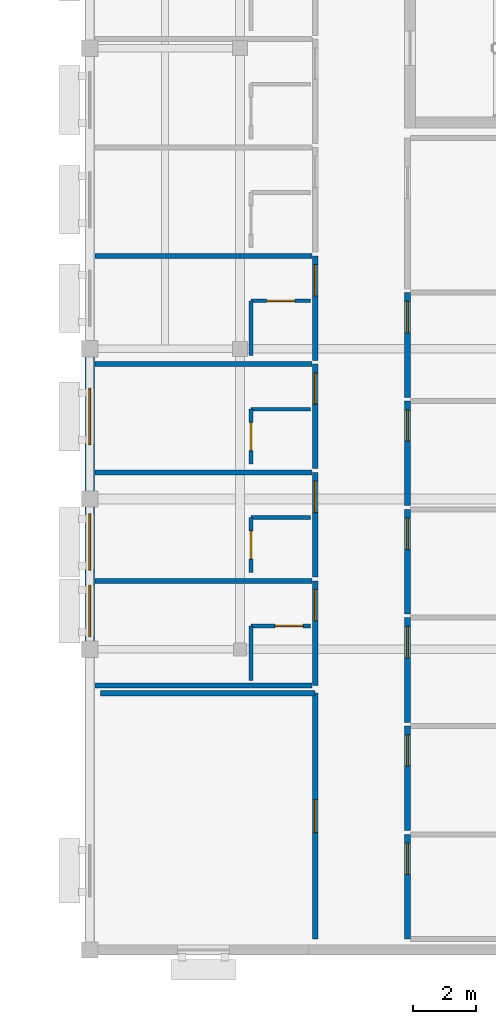
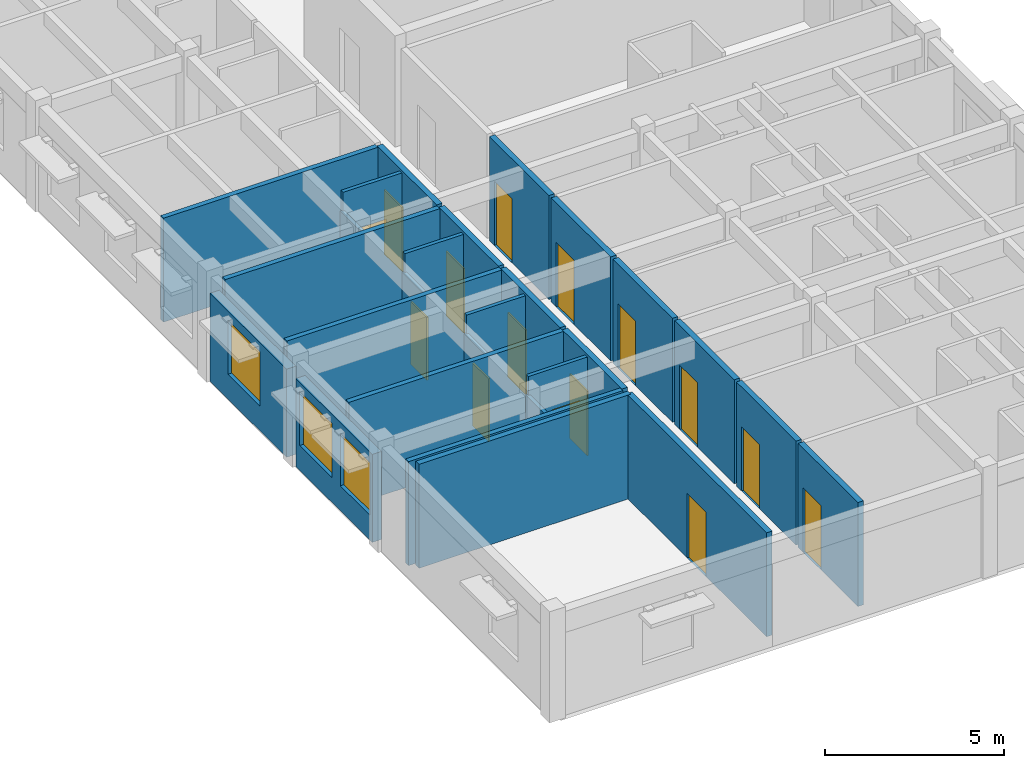
# One storey, part 7 of 20: 27 walls, 15 doors, 3 windows, 18 openings.
"""IFC4 building model written with IfcOpenShell, lengths in metres."""

from ifc_helpers import new_model, si_unit, direction, frame, frame_2d, origin, place, context, subcontext, project, spatial, rectangle, extrude, material, layer, layer_set, type_object, element, fill, save


model = new_model("IFC4")

# Units and contexts
model_context = context("Model", 3, precision=1e-05, world=origin(), true_north=direction((0.0, 1.0)))
body_context = subcontext(model_context, "Body", "Model", "MODEL_VIEW")
ifc_project = project(units=[si_unit("LENGTHUNIT", "METRE"), si_unit("AREAUNIT", "SQUARE_METRE"), si_unit("VOLUMEUNIT", "CUBIC_METRE"), si_unit("PLANEANGLEUNIT", "RADIAN"), si_unit("MASSUNIT", "GRAM", prefix="KILO")], contexts=[model_context])

# Site, building, storey
site_placement = place(None, origin())
site = spatial("IfcSite", under=ifc_project, at=site_placement, CompositionType="ELEMENT")
building_placement = place(site_placement, origin())
building = spatial("IfcBuilding", under=site, at=building_placement, Name="Veldera Park Congress Hotel", CompositionType="ELEMENT")
storey_placement = place(building_placement, frame((0.0, 0.0, 27.60009765625)))
storey = spatial("IfcBuildingStorey", under=building, at=storey_placement, Name="L06", CompositionType="ELEMENT", Elevation=27.60009765625)

# Wall, opening, window
ifc_material_1 = material(Name="Cross-laminated timber CLT V2M1.1", Category="wood")
ifc_layer_1 = layer(ifc_material_1, 0.300048828125)
ifc_layer_set_1 = layer_set([ifc_layer_1], Name="Cross-laminated timber CLT V2M1.1")
wall_type_1 = type_object("IfcWallType", Name="EW-CLT300", PredefinedType="STANDARD", material=ifc_layer_set_1)
wall_1_placement = place(storey_placement, frame((60.800048828125, -18.85791015625, 0.0), z_axis=(0.0, 0.0, 1.0), x_axis=(0.0, -1.0, 0.0)))
wall_1 = element("IfcWall", 1, at=wall_1_placement, inside=storey, type_object=wall_type_1, Name="L06 Exterior Wall EW3-L06-0337", PredefinedType="STANDARD", context=body_context, shape_type="SweptSolid", body=[
    extrude(rectangle(XDim=4.2841796875, YDim=0.300048828125, at=frame_2d((2.14208984375, 0.0))), origin(), (0.0, 0.0, 1.0), 3.010009765625),
])
opening_1_placement = place(wall_1_placement, frame((1.001953125, 0.0, 0.85009765625)))
opening_1 = element("IfcOpeningElement", 2, at=opening_1_placement, cuts=wall_1, Name="Opening WIN-1800", PredefinedType="OPENING", context=body_context, shape_type="SweptSolid", body=[
    extrude(rectangle(XDim=1.800048828125, YDim=1.85009765625, at=frame_2d((0.89990234375, 0.925048828125))), frame((0.0, 0.162109375, 0.0), z_axis=(0.0, -1.0, 0.0), x_axis=(1.0, 0.0, 0.0)), (0.0, 0.0, 1.0), 0.323974609375),
])
ifc_material_2 = material(Name="Low-E Triple Insulating Glass Unit (SHGC 0.22)", Category="glass")
window_type_1 = type_object("IfcWindowType", Name="WIN-1800", PartitioningType="SINGLE_PANEL", PredefinedType="WINDOW", material=ifc_material_2)
window_1_placement = place(opening_1_placement, origin())
window_1 = element("IfcWindow", 3, at=window_1_placement, inside=storey, type_object=window_type_1, Name="L06 Window WIN-1800 511", OverallHeight=1.85009765625, OverallWidth=1.800048828125, PartitioningType="SINGLE_PANEL", PredefinedType="WINDOW", context=body_context, shape_type="SweptSolid", body=[
    extrude(rectangle(XDim=1.800048828125, YDim=1.85009765625, at=frame_2d((0.89990234375, 0.925048828125))), frame((0.0, 0.030029296875, 0.0), z_axis=(0.0, -1.0, 0.0), x_axis=(1.0, 0.0, 0.0)), (0.0, 0.0, 1.0), 0.06005859375),
])
fill(opening_1, window_1)

# Wall, openings, windows
wall_2_placement = place(storey_placement, frame((60.800048828125, -23.657958984375, 0.0), z_axis=(0.0, 0.0, 1.0), x_axis=(0.0, -1.0, 0.0)))
wall_2 = element("IfcWall", 4, at=wall_2_placement, inside=storey, type_object=wall_type_1, Name="L06 Exterior Wall EW3-L06-0338", PredefinedType="STANDARD", context=body_context, shape_type="SweptSolid", body=[
    extrude(rectangle(XDim=4.283935546875, YDim=0.300048828125, at=frame_2d((2.14208984375, 0.0))), origin(), (0.0, 0.0, 1.0), 3.010009765625),
])
opening_2_placement = place(wall_2_placement, frame((2.492919921875, 0.0, 0.85009765625)))
opening_2 = element("IfcOpeningElement", 5, at=opening_2_placement, cuts=wall_2, Name="Opening WIN-1650", PredefinedType="OPENING", context=body_context, shape_type="SweptSolid", body=[
    extrude(rectangle(XDim=1.64990234375, YDim=1.800048828125, at=frame_2d((0.824951171875, 0.89990234375))), frame((0.0, 0.162109375, 0.0), z_axis=(0.0, -1.0, 0.0), x_axis=(1.0, 0.0, 0.0)), (0.0, 0.0, 1.0), 0.323974609375),
])
opening_3_placement = place(wall_2_placement, frame((0.216064453125, 0.0, 0.85009765625)))
opening_3 = element("IfcOpeningElement", 6, at=opening_3_placement, cuts=wall_2, Name="Opening WIN-1800", PredefinedType="OPENING", context=body_context, shape_type="SweptSolid", body=[
    extrude(rectangle(XDim=1.800048828125, YDim=1.85009765625, at=frame_2d((0.89990234375, 0.925048828125))), frame((0.0, 0.162109375, 0.0), z_axis=(0.0, -1.0, 0.0), x_axis=(1.0, 0.0, 0.0)), (0.0, 0.0, 1.0), 0.323974609375),
])
window_type_2 = type_object("IfcWindowType", Name="WIN-1650", PartitioningType="SINGLE_PANEL", PredefinedType="WINDOW", material=ifc_material_2)
window_2_placement = place(opening_2_placement, origin())
window_2 = element("IfcWindow", 7, at=window_2_placement, inside=storey, type_object=window_type_2, Name="L06 Window WIN-1650 509", OverallHeight=1.800048828125, OverallWidth=1.64990234375, PartitioningType="SINGLE_PANEL", PredefinedType="WINDOW", context=body_context, shape_type="SweptSolid", body=[
    extrude(rectangle(XDim=1.64990234375, YDim=1.800048828125, at=frame_2d((0.824951171875, 0.89990234375))), frame((0.0, 0.030029296875, 0.0), z_axis=(0.0, -1.0, 0.0), x_axis=(1.0, 0.0, 0.0)), (0.0, 0.0, 1.0), 0.06005859375),
])
fill(opening_2, window_2)
window_3_placement = place(opening_3_placement, origin())
window_3 = element("IfcWindow", 8, at=window_3_placement, inside=storey, type_object=window_type_1, Name="L06 Window WIN-1800 510", OverallHeight=1.85009765625, OverallWidth=1.800048828125, PartitioningType="SINGLE_PANEL", PredefinedType="WINDOW", context=body_context, shape_type="SweptSolid", body=[
    extrude(rectangle(XDim=1.800048828125, YDim=1.85009765625, at=frame_2d((0.89990234375, 0.925048828125))), frame((0.0, 0.030029296875, 0.0), z_axis=(0.0, -1.0, 0.0), x_axis=(1.0, 0.0, 0.0)), (0.0, 0.0, 1.0), 0.06005859375),
])
fill(opening_3, window_3)

# Wall
ifc_material_3 = material(Name="Fire-Rated Gypsum Board on Cold-Formed Steel Studs", Category="steel")
ifc_layer_2 = layer(ifc_material_3, 0.1201171875)
ifc_layer_set_2 = layer_set([ifc_layer_2], Name="Fire-Rated Gypsum Board on Cold-Formed Steel Studs")
wall_type_2 = type_object("IfcWallType", Name="IW-BATH120", PredefinedType="PARTITIONING", material=ifc_layer_set_2)
wall_3_placement = place(storey_placement, frame((65.949951171875, -29.199951171875, 0.0), z_axis=(0.0, 0.0, 1.0), x_axis=(0.0, 1.0, 0.0)))
element("IfcWall", 9, at=wall_3_placement, inside=storey, type_object=wall_type_2, Name="L06 Partition Wall IW3-L06-01194", PredefinedType="PARTITIONING", context=body_context, shape_type="SweptSolid", body=[
    extrude(rectangle(XDim=1.75, YDim=0.1201171875, at=frame_2d((0.875, 0.0))), origin(), (0.0, 0.0, 1.0), 2.909912109375),
])

# Wall, opening, door
wall_4_placement = place(storey_placement, frame((65.949951171875, -27.449951171875, 0.0), z_axis=(0.0, 0.0, 1.0), x_axis=(1.0, 0.0, 0.0)))
wall_4 = element("IfcWall", 10, at=wall_4_placement, inside=storey, type_object=wall_type_2, Name="L06 Partition Wall IW3-L06-01195", PredefinedType="PARTITIONING", context=body_context, shape_type="SweptSolid", body=[
    extrude(rectangle(XDim=1.900146484375, YDim=0.1201171875, at=frame_2d((0.9501953125, 0.0))), origin(), (0.0, 0.0, 1.0), 3.554931640625),
])
opening_4_placement = place(wall_4_placement, frame((0.76611328125, 0.0, 0.0)))
opening_4 = element("IfcOpeningElement", 11, at=opening_4_placement, cuts=wall_4, Name="Opening ID-BATH090", PredefinedType="OPENING", context=body_context, shape_type="SweptSolid", body=[
    extrude(rectangle(XDim=0.89990234375, YDim=2.14990234375, at=frame_2d((0.449951171875, 1.074951171875))), frame((0.0, 0.072021484375, 0.0), z_axis=(0.0, -1.0, 0.0), x_axis=(1.0, 0.0, 0.0)), (0.0, 0.0, 1.0), 0.14404296875),
])
ifc_material_4 = material(Name="Solid Core White Oak Architectural Door", Category="wood")
door_type_1 = type_object("IfcDoorType", Name="ID-BATH090", OperationType="NOTDEFINED", PredefinedType="DOOR", material=ifc_material_4)
door_1_placement = place(opening_4_placement, origin())
door_1 = element("IfcDoor", 12, at=door_1_placement, inside=storey, type_object=door_type_1, Name="L06 En-suite 178 Door ID3-L06-0495 (DR3-ID3-L06-0495)", OperationType="SINGLE_SWING_LEFT", OverallHeight=2.14990234375, OverallWidth=0.89990234375, PredefinedType="DOOR", context=body_context, shape_type="SweptSolid", body=[
    extrude(rectangle(XDim=0.89990234375, YDim=2.14990234375, at=frame_2d((0.449951171875, 1.074951171875))), frame((0.0, 0.02490234375, 0.0), z_axis=(0.0, -1.0, 0.0), x_axis=(1.0, 0.0, 0.0)), (0.0, 0.0, 1.0), 0.050048828125),
])
fill(opening_4, door_1)

wall_5_placement = place(storey_placement, frame((65.949951171875, -25.739990234375, 0.0), z_axis=(0.0, 0.0, 1.0), x_axis=(0.0, 1.0, 0.0)))
wall_5 = element("IfcWall", 13, at=wall_5_placement, inside=storey, type_object=wall_type_2, Name="L06 Partition Wall IW3-L06-01198", PredefinedType="PARTITIONING", context=body_context, shape_type="SweptSolid", body=[
    extrude(rectangle(XDim=1.75, YDim=0.1201171875, at=frame_2d((0.875, 0.0))), origin(), (0.0, 0.0, 1.0), 2.909912109375),
])
opening_5_placement = place(wall_5_placement, frame((0.425048828125, 0.0, 0.0)))
opening_5 = element("IfcOpeningElement", 14, at=opening_5_placement, cuts=wall_5, Name="Opening ID-BATH090", PredefinedType="OPENING", context=body_context, shape_type="SweptSolid", body=[
    extrude(rectangle(XDim=0.89990234375, YDim=2.14990234375, at=frame_2d((0.449951171875, 1.074951171875))), frame((0.0, 0.072021484375, 0.0), z_axis=(0.0, -1.0, 0.0), x_axis=(1.0, 0.0, 0.0)), (0.0, 0.0, 1.0), 0.14404296875),
])
door_2_placement = place(opening_5_placement, origin())
door_2 = element("IfcDoor", 15, at=door_2_placement, inside=storey, type_object=door_type_1, Name="L06 En-suite 179 Door ID3-L06-0497 (DR3-ID3-L06-0497)", OperationType="SINGLE_SWING_LEFT", OverallHeight=2.14990234375, OverallWidth=0.89990234375, PredefinedType="DOOR", context=body_context, shape_type="SweptSolid", body=[
    extrude(rectangle(XDim=0.89990234375, YDim=2.14990234375, at=frame_2d((0.449951171875, 1.074951171875))), frame((0.0, 0.02490234375, 0.0), z_axis=(0.0, -1.0, 0.0), x_axis=(1.0, 0.0, 0.0)), (0.0, 0.0, 1.0), 0.050048828125),
])
fill(opening_5, door_2)

# Wall
wall_6_placement = place(storey_placement, frame((65.949951171875, -23.989990234375, 0.0), z_axis=(0.0, 0.0, 1.0), x_axis=(1.0, 0.0, 0.0)))
element("IfcWall", 16, at=wall_6_placement, inside=storey, type_object=wall_type_2, Name="L06 Partition Wall IW3-L06-01199", PredefinedType="PARTITIONING", context=body_context, shape_type="SweptSolid", body=[
    extrude(rectangle(XDim=1.900146484375, YDim=0.1201171875, at=frame_2d((0.9501953125, 0.0))), origin(), (0.0, 0.0, 1.0), 3.554931640625),
])

# Wall, opening, door
wall_7_placement = place(storey_placement, frame((65.949951171875, -22.280029296875, 0.0), z_axis=(0.0, 0.0, 1.0), x_axis=(0.0, 1.0, 0.0)))
wall_7 = element("IfcWall", 17, at=wall_7_placement, inside=storey, type_object=wall_type_2, Name="L06 Partition Wall IW3-L06-01202", PredefinedType="PARTITIONING", context=body_context, shape_type="SweptSolid", body=[
    extrude(rectangle(XDim=1.75, YDim=0.1201171875, at=frame_2d((0.875, 0.0))), origin(), (0.0, 0.0, 1.0), 2.909912109375),
])
opening_6_placement = place(wall_7_placement, frame((0.425048828125, 0.0, 0.0)))
opening_6 = element("IfcOpeningElement", 18, at=opening_6_placement, cuts=wall_7, Name="Opening ID-BATH090", PredefinedType="OPENING", context=body_context, shape_type="SweptSolid", body=[
    extrude(rectangle(XDim=0.89990234375, YDim=2.14990234375, at=frame_2d((0.449951171875, 1.074951171875))), frame((0.0, 0.072021484375, 0.0), z_axis=(0.0, -1.0, 0.0), x_axis=(1.0, 0.0, 0.0)), (0.0, 0.0, 1.0), 0.14404296875),
])
door_3_placement = place(opening_6_placement, origin())
door_3 = element("IfcDoor", 19, at=door_3_placement, inside=storey, type_object=door_type_1, Name="L06 En-suite 180 Door ID3-L06-0499 (DR3-ID3-L06-0499)", OperationType="SINGLE_SWING_LEFT", OverallHeight=2.14990234375, OverallWidth=0.89990234375, PredefinedType="DOOR", context=body_context, shape_type="SweptSolid", body=[
    extrude(rectangle(XDim=0.89990234375, YDim=2.14990234375, at=frame_2d((0.449951171875, 1.074951171875))), frame((0.0, 0.02490234375, 0.0), z_axis=(0.0, -1.0, 0.0), x_axis=(1.0, 0.0, 0.0)), (0.0, 0.0, 1.0), 0.050048828125),
])
fill(opening_6, door_3)

# Walls
wall_8_placement = place(storey_placement, frame((65.949951171875, -20.530029296875, 0.0), z_axis=(0.0, 0.0, 1.0), x_axis=(1.0, 0.0, 0.0)))
element("IfcWall", 20, at=wall_8_placement, inside=storey, type_object=wall_type_2, Name="L06 Partition Wall IW3-L06-01203", PredefinedType="PARTITIONING", context=body_context, shape_type="SweptSolid", body=[
    extrude(rectangle(XDim=1.900146484375, YDim=0.1201171875, at=frame_2d((0.9501953125, 0.0))), origin(), (0.0, 0.0, 1.0), 3.554931640625),
])
wall_9_placement = place(storey_placement, frame((65.949951171875, -18.820068359375, 0.0), z_axis=(0.0, 0.0, 1.0), x_axis=(0.0, 1.0, 0.0)))
element("IfcWall", 21, at=wall_9_placement, inside=storey, type_object=wall_type_2, Name="L06 Partition Wall IW3-L06-01206", PredefinedType="PARTITIONING", context=body_context, shape_type="SweptSolid", body=[
    extrude(rectangle(XDim=1.75, YDim=0.1201171875, at=frame_2d((0.875, 0.0))), origin(), (0.0, 0.0, 1.0), 2.909912109375),
])

# Wall, opening, door
wall_10_placement = place(storey_placement, frame((65.949951171875, -17.070068359375, 0.0), z_axis=(0.0, 0.0, 1.0), x_axis=(1.0, 0.0, 0.0)))
wall_10 = element("IfcWall", 22, at=wall_10_placement, inside=storey, type_object=wall_type_2, Name="L06 Partition Wall IW3-L06-01207", PredefinedType="PARTITIONING", context=body_context, shape_type="SweptSolid", body=[
    extrude(rectangle(XDim=1.900146484375, YDim=0.1201171875, at=frame_2d((0.9501953125, 0.0))), origin(), (0.0, 0.0, 1.0), 3.554931640625),
])
opening_7_placement = place(wall_10_placement, frame((0.5, 0.0, 0.0)))
opening_7 = element("IfcOpeningElement", 23, at=opening_7_placement, cuts=wall_10, Name="Opening ID-BATH090", PredefinedType="OPENING", context=body_context, shape_type="SweptSolid", body=[
    extrude(rectangle(XDim=0.89990234375, YDim=2.14990234375, at=frame_2d((0.449951171875, 1.074951171875))), frame((0.0, 0.072021484375, 0.0), z_axis=(0.0, -1.0, 0.0), x_axis=(1.0, 0.0, 0.0)), (0.0, 0.0, 1.0), 0.14404296875),
])
door_4_placement = place(opening_7_placement, origin())
door_4 = element("IfcDoor", 24, at=door_4_placement, inside=storey, type_object=door_type_1, Name="L06 En-suite 181 Door ID3-L06-0501 (DR3-ID3-L06-0501)", OperationType="SINGLE_SWING_LEFT", OverallHeight=2.14990234375, OverallWidth=0.89990234375, PredefinedType="DOOR", context=body_context, shape_type="SweptSolid", body=[
    extrude(rectangle(XDim=0.89990234375, YDim=2.14990234375, at=frame_2d((0.449951171875, 1.074951171875))), frame((0.0, 0.02490234375, 0.0), z_axis=(0.0, -1.0, 0.0), x_axis=(1.0, 0.0, 0.0)), (0.0, 0.0, 1.0), 0.050048828125),
])
fill(opening_7, door_4)

ifc_layer_3 = layer(ifc_material_3, 0.179931640625)
ifc_layer_set_3 = layer_set([ifc_layer_3], Name="Fire-Rated Gypsum Board on Cold-Formed Steel Studs")
wall_type_3 = type_object("IfcWallType", Name="IW-CORR180", PredefinedType="PARTITIONING", material=ifc_layer_set_3)
wall_11_placement = place(storey_placement, frame((68.0, -37.449951171875, 0.0), z_axis=(0.0, 0.0, 1.0), x_axis=(0.0, 1.0, 0.0)))
wall_11 = element("IfcWall", 25, at=wall_11_placement, inside=storey, type_object=wall_type_3, Name="L06 Partition Wall IW3-L06-00283", PredefinedType="PARTITIONING", context=body_context, shape_type="SweptSolid", body=[
    extrude(rectangle(XDim=7.849853515625, YDim=0.179931640625, at=frame_2d((3.9248046875, 0.0))), origin(), (0.0, 0.0, 1.0), 3.554931640625),
])
opening_8_placement = place(wall_11_placement, frame((3.39990234375, 0.0, 0.0)))
opening_8 = element("IfcOpeningElement", 26, at=opening_8_placement, cuts=wall_11, Name="Opening ID-MEET105", PredefinedType="OPENING", context=body_context, shape_type="SweptSolid", body=[
    extrude(rectangle(XDim=1.050048828125, YDim=2.199951171875, at=frame_2d((0.52490234375, 1.10009765625))), frame((0.0, 0.10205078125, 0.0), z_axis=(0.0, -1.0, 0.0), x_axis=(1.0, 0.0, 0.0)), (0.0, 0.0, 1.0), 0.203857421875),
])
door_type_2 = type_object("IfcDoorType", Name="ID-MEET105", OperationType="NOTDEFINED", PredefinedType="DOOR", material=ifc_material_4)
door_5_placement = place(opening_8_placement, origin())
door_5 = element("IfcDoor", 27, at=door_5_placement, inside=storey, type_object=door_type_2, Name="L06 Terrace Sunset Reading Salon Door ID3-L06-0104 (DR3-ID3-L06-0104)", OperationType="SINGLE_SWING_LEFT", OverallHeight=2.199951171875, OverallWidth=1.050048828125, PredefinedType="DOOR", context=body_context, shape_type="SweptSolid", body=[
    extrude(rectangle(XDim=1.050048828125, YDim=2.199951171875, at=frame_2d((0.52490234375, 1.10009765625))), frame((0.0, 0.02490234375, 0.0), z_axis=(0.0, -1.0, 0.0), x_axis=(1.0, 0.0, 0.0)), (0.0, 0.0, 1.0), 0.050048828125),
])
fill(opening_8, door_5)

# Wall
wall_12_placement = place(storey_placement, frame((68.0, -29.60009765625, 0.0), z_axis=(0.0, 0.0, 1.0), x_axis=(-1.0, 0.0, 0.0)))
element("IfcWall", 28, at=wall_12_placement, inside=storey, type_object=wall_type_3, Name="L06 Partition Wall IW3-L06-00284", PredefinedType="PARTITIONING", context=body_context, shape_type="SweptSolid", body=[
    extrude(rectangle(XDim=6.85009765625, YDim=0.179931640625, at=frame_2d((3.425048828125, 0.0))), origin(), (0.0, 0.0, 1.0), 3.554931640625),
])

# Wall, opening, door
wall_13_placement = place(storey_placement, frame((68.0, -29.35009765625, 0.0), z_axis=(0.0, 0.0, 1.0), x_axis=(0.0, 1.0, 0.0)))
wall_13 = element("IfcWall", 29, at=wall_13_placement, inside=storey, type_object=wall_type_3, Name="L06 Corridor Wall IW3-L06-01191", PredefinedType="PARTITIONING", context=body_context, shape_type="SweptSolid", body=[
    extrude(rectangle(XDim=3.340087890625, YDim=0.179931640625, at=frame_2d((1.669921875, 0.0))), origin(), (0.0, 0.0, 1.0), 3.554931640625),
])
opening_9_placement = place(wall_13_placement, frame((2.06005859375, 0.0, 0.0)))
opening_9 = element("IfcOpeningElement", 30, at=opening_9_placement, cuts=wall_13, Name="Opening ID-UNIT100", PredefinedType="OPENING", context=body_context, shape_type="SweptSolid", body=[
    extrude(rectangle(XDim=1.0, YDim=2.199951171875, at=frame_2d((0.5, 1.10009765625))), frame((0.0, 0.10205078125, 0.0), z_axis=(0.0, -1.0, 0.0), x_axis=(1.0, 0.0, 0.0)), (0.0, 0.0, 1.0), 0.203857421875),
])
door_type_3 = type_object("IfcDoorType", Name="ID-UNIT100", OperationType="NOTDEFINED", PredefinedType="DOOR", material=ifc_material_4)
door_6_placement = place(opening_9_placement, origin())
door_6 = element("IfcDoor", 31, at=door_6_placement, inside=storey, type_object=door_type_3, Name="L06 Guestroom 178 Entry Door (DR3-UD3-L06-178)", OperationType="SINGLE_SWING_RIGHT", OverallHeight=2.199951171875, OverallWidth=1.0, PredefinedType="DOOR", context=body_context, shape_type="SweptSolid", body=[
    extrude(rectangle(XDim=1.0, YDim=2.199951171875, at=frame_2d((0.5, 1.10009765625))), frame((0.0, 0.02490234375, 0.0), z_axis=(0.0, -1.0, 0.0), x_axis=(1.0, 0.0, 0.0)), (0.0, 0.0, 1.0), 0.050048828125),
])
fill(opening_9, door_6)

wall_14_placement = place(storey_placement, frame((68.0, -25.889892578125, 0.0), z_axis=(0.0, 0.0, 1.0), x_axis=(0.0, 1.0, 0.0)))
wall_14 = element("IfcWall", 32, at=wall_14_placement, inside=storey, type_object=wall_type_3, Name="L06 Corridor Wall IW3-L06-01196", PredefinedType="PARTITIONING", context=body_context, shape_type="SweptSolid", body=[
    extrude(rectangle(XDim=3.33984375, YDim=0.179931640625, at=frame_2d((1.669921875, 0.0))), origin(), (0.0, 0.0, 1.0), 3.554931640625),
])
opening_10_placement = place(wall_14_placement, frame((2.06005859375, 0.0, 0.0)))
opening_10 = element("IfcOpeningElement", 33, at=opening_10_placement, cuts=wall_14, Name="Opening ID-UNIT100", PredefinedType="OPENING", context=body_context, shape_type="SweptSolid", body=[
    extrude(rectangle(XDim=1.0, YDim=2.199951171875, at=frame_2d((0.5, 1.10009765625))), frame((0.0, 0.10205078125, 0.0), z_axis=(0.0, -1.0, 0.0), x_axis=(1.0, 0.0, 0.0)), (0.0, 0.0, 1.0), 0.203857421875),
])
door_7_placement = place(opening_10_placement, origin())
door_7 = element("IfcDoor", 34, at=door_7_placement, inside=storey, type_object=door_type_3, Name="L06 Guestroom 179 Entry Door (DR3-UD3-L06-179)", OperationType="SINGLE_SWING_RIGHT", OverallHeight=2.199951171875, OverallWidth=1.0, PredefinedType="DOOR", context=body_context, shape_type="SweptSolid", body=[
    extrude(rectangle(XDim=1.0, YDim=2.199951171875, at=frame_2d((0.5, 1.10009765625))), frame((0.0, 0.02490234375, 0.0), z_axis=(0.0, -1.0, 0.0), x_axis=(1.0, 0.0, 0.0)), (0.0, 0.0, 1.0), 0.050048828125),
])
fill(opening_10, door_7)

wall_15_placement = place(storey_placement, frame((68.0, -22.429931640625, 0.0), z_axis=(0.0, 0.0, 1.0), x_axis=(0.0, 1.0, 0.0)))
wall_15 = element("IfcWall", 35, at=wall_15_placement, inside=storey, type_object=wall_type_3, Name="L06 Corridor Wall IW3-L06-01200", PredefinedType="PARTITIONING", context=body_context, shape_type="SweptSolid", body=[
    extrude(rectangle(XDim=3.33984375, YDim=0.179931640625, at=frame_2d((1.669921875, 0.0))), origin(), (0.0, 0.0, 1.0), 3.554931640625),
])
opening_11_placement = place(wall_15_placement, frame((2.06005859375, 0.0, 0.0)))
opening_11 = element("IfcOpeningElement", 36, at=opening_11_placement, cuts=wall_15, Name="Opening ID-UNIT100", PredefinedType="OPENING", context=body_context, shape_type="SweptSolid", body=[
    extrude(rectangle(XDim=1.0, YDim=2.199951171875, at=frame_2d((0.5, 1.10009765625))), frame((0.0, 0.10205078125, 0.0), z_axis=(0.0, -1.0, 0.0), x_axis=(1.0, 0.0, 0.0)), (0.0, 0.0, 1.0), 0.203857421875),
])
door_8_placement = place(opening_11_placement, origin())
door_8 = element("IfcDoor", 37, at=door_8_placement, inside=storey, type_object=door_type_3, Name="L06 Guestroom 180 Entry Door (DR3-UD3-L06-180)", OperationType="SINGLE_SWING_RIGHT", OverallHeight=2.199951171875, OverallWidth=1.0, PredefinedType="DOOR", context=body_context, shape_type="SweptSolid", body=[
    extrude(rectangle(XDim=1.0, YDim=2.199951171875, at=frame_2d((0.5, 1.10009765625))), frame((0.0, 0.02490234375, 0.0), z_axis=(0.0, -1.0, 0.0), x_axis=(1.0, 0.0, 0.0)), (0.0, 0.0, 1.0), 0.050048828125),
])
fill(opening_11, door_8)

wall_16_placement = place(storey_placement, frame((68.0, -18.969970703125, 0.0), z_axis=(0.0, 0.0, 1.0), x_axis=(0.0, 1.0, 0.0)))
wall_16 = element("IfcWall", 38, at=wall_16_placement, inside=storey, type_object=wall_type_3, Name="L06 Corridor Wall IW3-L06-01204", PredefinedType="PARTITIONING", context=body_context, shape_type="SweptSolid", body=[
    extrude(rectangle(XDim=3.340087890625, YDim=0.179931640625, at=frame_2d((1.669921875, 0.0))), origin(), (0.0, 0.0, 1.0), 3.554931640625),
])
opening_12_placement = place(wall_16_placement, frame((2.06005859375, 0.0, 0.0)))
opening_12 = element("IfcOpeningElement", 39, at=opening_12_placement, cuts=wall_16, Name="Opening ID-UNIT100", PredefinedType="OPENING", context=body_context, shape_type="SweptSolid", body=[
    extrude(rectangle(XDim=1.0, YDim=2.199951171875, at=frame_2d((0.5, 1.10009765625))), frame((0.0, 0.10205078125, 0.0), z_axis=(0.0, -1.0, 0.0), x_axis=(1.0, 0.0, 0.0)), (0.0, 0.0, 1.0), 0.203857421875),
])
door_9_placement = place(opening_12_placement, origin())
door_9 = element("IfcDoor", 40, at=door_9_placement, inside=storey, type_object=door_type_3, Name="L06 Guestroom 181 Entry Door (DR3-UD3-L06-181)", OperationType="SINGLE_SWING_RIGHT", OverallHeight=2.199951171875, OverallWidth=1.0, PredefinedType="DOOR", context=body_context, shape_type="SweptSolid", body=[
    extrude(rectangle(XDim=1.0, YDim=2.199951171875, at=frame_2d((0.5, 1.10009765625))), frame((0.0, 0.02490234375, 0.0), z_axis=(0.0, -1.0, 0.0), x_axis=(1.0, 0.0, 0.0)), (0.0, 0.0, 1.0), 0.050048828125),
])
fill(opening_12, door_9)

wall_17_placement = place(storey_placement, frame((70.949951171875, -34.110107421875, 0.0), z_axis=(0.0, 0.0, 1.0), x_axis=(0.0, -1.0, 0.0)))
wall_17 = element("IfcWall", 41, at=wall_17_placement, inside=storey, type_object=wall_type_3, Name="L06 Corridor Wall IW3-L06-01260", PredefinedType="PARTITIONING", context=body_context, shape_type="SweptSolid", body=[
    extrude(rectangle(XDim=3.33984375, YDim=0.179931640625, at=frame_2d((1.669921875, 0.0))), origin(), (0.0, 0.0, 1.0), 3.554931640625),
])
opening_13_placement = place(wall_17_placement, frame((0.280029296875, 0.0, 0.0)))
opening_13 = element("IfcOpeningElement", 42, at=opening_13_placement, cuts=wall_17, Name="Opening ID-UNIT100", PredefinedType="OPENING", context=body_context, shape_type="SweptSolid", body=[
    extrude(rectangle(XDim=1.0, YDim=2.199951171875, at=frame_2d((0.5, 1.10009765625))), frame((0.0, 0.10205078125, 0.0), z_axis=(0.0, -1.0, 0.0), x_axis=(1.0, 0.0, 0.0)), (0.0, 0.0, 1.0), 0.203857421875),
])
door_10_placement = place(opening_13_placement, origin())
door_10 = element("IfcDoor", 43, at=door_10_placement, inside=storey, type_object=door_type_3, Name="L06 Guestroom 195 Entry Door (DR3-UD3-L06-195)", OperationType="SINGLE_SWING_RIGHT", OverallHeight=2.199951171875, OverallWidth=1.0, PredefinedType="DOOR", context=body_context, shape_type="SweptSolid", body=[
    extrude(rectangle(XDim=1.0, YDim=2.199951171875, at=frame_2d((0.5, 1.10009765625))), frame((0.0, 0.02490234375, 0.0), z_axis=(0.0, -1.0, 0.0), x_axis=(1.0, 0.0, 0.0)), (0.0, 0.0, 1.0), 0.050048828125),
])
fill(opening_13, door_10)

wall_18_placement = place(storey_placement, frame((70.949951171875, -30.64990234375, 0.0), z_axis=(0.0, 0.0, 1.0), x_axis=(0.0, -1.0, 0.0)))
wall_18 = element("IfcWall", 44, at=wall_18_placement, inside=storey, type_object=wall_type_3, Name="L06 Corridor Wall IW3-L06-01266", PredefinedType="PARTITIONING", context=body_context, shape_type="SweptSolid", body=[
    extrude(rectangle(XDim=3.340087890625, YDim=0.179931640625, at=frame_2d((1.669921875, 0.0))), origin(), (0.0, 0.0, 1.0), 3.554931640625),
])
opening_14_placement = place(wall_18_placement, frame((0.280029296875, 0.0, 0.0)))
opening_14 = element("IfcOpeningElement", 45, at=opening_14_placement, cuts=wall_18, Name="Opening ID-UNIT100", PredefinedType="OPENING", context=body_context, shape_type="SweptSolid", body=[
    extrude(rectangle(XDim=1.0, YDim=2.199951171875, at=frame_2d((0.5, 1.10009765625))), frame((0.0, 0.10205078125, 0.0), z_axis=(0.0, -1.0, 0.0), x_axis=(1.0, 0.0, 0.0)), (0.0, 0.0, 1.0), 0.203857421875),
])
door_11_placement = place(opening_14_placement, origin())
door_11 = element("IfcDoor", 46, at=door_11_placement, inside=storey, type_object=door_type_3, Name="L06 Guestroom 196 Entry Door (DR3-UD3-L06-196)", OperationType="SINGLE_SWING_RIGHT", OverallHeight=2.199951171875, OverallWidth=1.0, PredefinedType="DOOR", context=body_context, shape_type="SweptSolid", body=[
    extrude(rectangle(XDim=1.0, YDim=2.199951171875, at=frame_2d((0.5, 1.10009765625))), frame((0.0, 0.02490234375, 0.0), z_axis=(0.0, -1.0, 0.0), x_axis=(1.0, 0.0, 0.0)), (0.0, 0.0, 1.0), 0.050048828125),
])
fill(opening_14, door_11)

wall_19_placement = place(storey_placement, frame((70.949951171875, -27.18994140625, 0.0), z_axis=(0.0, 0.0, 1.0), x_axis=(0.0, -1.0, 0.0)))
wall_19 = element("IfcWall", 47, at=wall_19_placement, inside=storey, type_object=wall_type_3, Name="L06 Corridor Wall IW3-L06-01271", PredefinedType="PARTITIONING", context=body_context, shape_type="SweptSolid", body=[
    extrude(rectangle(XDim=3.340087890625, YDim=0.179931640625, at=frame_2d((1.669921875, 0.0))), origin(), (0.0, 0.0, 1.0), 3.554931640625),
])
opening_15_placement = place(wall_19_placement, frame((0.280029296875, 0.0, 0.0)))
opening_15 = element("IfcOpeningElement", 48, at=opening_15_placement, cuts=wall_19, Name="Opening ID-UNIT100", PredefinedType="OPENING", context=body_context, shape_type="SweptSolid", body=[
    extrude(rectangle(XDim=1.0, YDim=2.199951171875, at=frame_2d((0.5, 1.10009765625))), frame((0.0, 0.10205078125, 0.0), z_axis=(0.0, -1.0, 0.0), x_axis=(1.0, 0.0, 0.0)), (0.0, 0.0, 1.0), 0.203857421875),
])
door_12_placement = place(opening_15_placement, origin())
door_12 = element("IfcDoor", 49, at=door_12_placement, inside=storey, type_object=door_type_3, Name="L06 Guestroom 197 Entry Door (DR3-UD3-L06-197)", OperationType="SINGLE_SWING_RIGHT", OverallHeight=2.199951171875, OverallWidth=1.0, PredefinedType="DOOR", context=body_context, shape_type="SweptSolid", body=[
    extrude(rectangle(XDim=1.0, YDim=2.199951171875, at=frame_2d((0.5, 1.10009765625))), frame((0.0, 0.02490234375, 0.0), z_axis=(0.0, -1.0, 0.0), x_axis=(1.0, 0.0, 0.0)), (0.0, 0.0, 1.0), 0.050048828125),
])
fill(opening_15, door_12)

wall_20_placement = place(storey_placement, frame((70.949951171875, -23.72998046875, 0.0), z_axis=(0.0, 0.0, 1.0), x_axis=(0.0, -1.0, 0.0)))
wall_20 = element("IfcWall", 50, at=wall_20_placement, inside=storey, type_object=wall_type_3, Name="L06 Corridor Wall IW3-L06-01276", PredefinedType="PARTITIONING", context=body_context, shape_type="SweptSolid", body=[
    extrude(rectangle(XDim=3.340087890625, YDim=0.179931640625, at=frame_2d((1.669921875, 0.0))), origin(), (0.0, 0.0, 1.0), 3.554931640625),
])
opening_16_placement = place(wall_20_placement, frame((0.280029296875, 0.0, 0.0)))
opening_16 = element("IfcOpeningElement", 51, at=opening_16_placement, cuts=wall_20, Name="Opening ID-UNIT100", PredefinedType="OPENING", context=body_context, shape_type="SweptSolid", body=[
    extrude(rectangle(XDim=1.0, YDim=2.199951171875, at=frame_2d((0.5, 1.10009765625))), frame((0.0, 0.10205078125, 0.0), z_axis=(0.0, -1.0, 0.0), x_axis=(1.0, 0.0, 0.0)), (0.0, 0.0, 1.0), 0.203857421875),
])
door_13_placement = place(opening_16_placement, origin())
door_13 = element("IfcDoor", 52, at=door_13_placement, inside=storey, type_object=door_type_3, Name="L06 Guestroom 198 Entry Door (DR3-UD3-L06-198)", OperationType="SINGLE_SWING_RIGHT", OverallHeight=2.199951171875, OverallWidth=1.0, PredefinedType="DOOR", context=body_context, shape_type="SweptSolid", body=[
    extrude(rectangle(XDim=1.0, YDim=2.199951171875, at=frame_2d((0.5, 1.10009765625))), frame((0.0, 0.02490234375, 0.0), z_axis=(0.0, -1.0, 0.0), x_axis=(1.0, 0.0, 0.0)), (0.0, 0.0, 1.0), 0.050048828125),
])
fill(opening_16, door_13)

wall_21_placement = place(storey_placement, frame((70.949951171875, -20.27001953125, 0.0), z_axis=(0.0, 0.0, 1.0), x_axis=(0.0, -1.0, 0.0)))
wall_21 = element("IfcWall", 53, at=wall_21_placement, inside=storey, type_object=wall_type_3, Name="L06 Corridor Wall IW3-L06-01281", PredefinedType="PARTITIONING", context=body_context, shape_type="SweptSolid", body=[
    extrude(rectangle(XDim=3.340087890625, YDim=0.179931640625, at=frame_2d((1.669921875, 0.0))), origin(), (0.0, 0.0, 1.0), 3.554931640625),
])
opening_17_placement = place(wall_21_placement, frame((0.280029296875, 0.0, 0.0)))
opening_17 = element("IfcOpeningElement", 54, at=opening_17_placement, cuts=wall_21, Name="Opening ID-UNIT100", PredefinedType="OPENING", context=body_context, shape_type="SweptSolid", body=[
    extrude(rectangle(XDim=1.0, YDim=2.199951171875, at=frame_2d((0.5, 1.10009765625))), frame((0.0, 0.10205078125, 0.0), z_axis=(0.0, -1.0, 0.0), x_axis=(1.0, 0.0, 0.0)), (0.0, 0.0, 1.0), 0.203857421875),
])
door_14_placement = place(opening_17_placement, origin())
door_14 = element("IfcDoor", 55, at=door_14_placement, inside=storey, type_object=door_type_3, Name="L06 Guestroom 199 Entry Door (DR3-UD3-L06-199)", OperationType="SINGLE_SWING_RIGHT", OverallHeight=2.199951171875, OverallWidth=1.0, PredefinedType="DOOR", context=body_context, shape_type="SweptSolid", body=[
    extrude(rectangle(XDim=1.0, YDim=2.199951171875, at=frame_2d((0.5, 1.10009765625))), frame((0.0, 0.02490234375, 0.0), z_axis=(0.0, -1.0, 0.0), x_axis=(1.0, 0.0, 0.0)), (0.0, 0.0, 1.0), 0.050048828125),
])
fill(opening_17, door_14)

wall_22_placement = place(storey_placement, frame((70.949951171875, -16.81005859375, 0.0), z_axis=(0.0, 0.0, 1.0), x_axis=(0.0, -1.0, 0.0)))
wall_22 = element("IfcWall", 56, at=wall_22_placement, inside=storey, type_object=wall_type_3, Name="L06 Corridor Wall IW3-L06-01286", PredefinedType="PARTITIONING", context=body_context, shape_type="SweptSolid", body=[
    extrude(rectangle(XDim=3.33984375, YDim=0.179931640625, at=frame_2d((1.669921875, 0.0))), origin(), (0.0, 0.0, 1.0), 3.554931640625),
])
opening_18_placement = place(wall_22_placement, frame((0.280029296875, 0.0, 0.0)))
opening_18 = element("IfcOpeningElement", 57, at=opening_18_placement, cuts=wall_22, Name="Opening ID-UNIT100", PredefinedType="OPENING", context=body_context, shape_type="SweptSolid", body=[
    extrude(rectangle(XDim=1.0, YDim=2.199951171875, at=frame_2d((0.5, 1.10009765625))), frame((0.0, 0.10205078125, 0.0), z_axis=(0.0, -1.0, 0.0), x_axis=(1.0, 0.0, 0.0)), (0.0, 0.0, 1.0), 0.203857421875),
])
door_15_placement = place(opening_18_placement, origin())
door_15 = element("IfcDoor", 58, at=door_15_placement, inside=storey, type_object=door_type_3, Name="L06 Guestroom 200 Entry Door (DR3-UD3-L06-200)", OperationType="SINGLE_SWING_RIGHT", OverallHeight=2.199951171875, OverallWidth=1.0, PredefinedType="DOOR", context=body_context, shape_type="SweptSolid", body=[
    extrude(rectangle(XDim=1.0, YDim=2.199951171875, at=frame_2d((0.5, 1.10009765625))), frame((0.0, 0.02490234375, 0.0), z_axis=(0.0, -1.0, 0.0), x_axis=(1.0, 0.0, 0.0)), (0.0, 0.0, 1.0), 0.050048828125),
])
fill(opening_18, door_15)

# Walls
ifc_layer_4 = layer(ifc_material_1, 0.159912109375)
ifc_layer_set_4 = layer_set([ifc_layer_4], Name="Cross-laminated timber CLT V2M1.1")
wall_type_4 = type_object("IfcWallType", Name="IW-UNIT160", PredefinedType="PARTITIONING", material=ifc_layer_set_4)
for number, where, z_axis, x_axis, name in (
    (59, (60.9599609375, -29.35009765625, 0.0), (0.0, 0.0, 1.0), (1.0, 0.0, 0.0), "L06 Partition Wall IW3-L06-01192"),
    (60, (60.9599609375, -26.010009765625, 0.0), (0.0, 0.0, 1.0), (1.0, 0.0, 0.0), "L06 Partition Wall IW3-L06-01193"),
    (61, (60.9599609375, -22.550048828125, 0.0), (0.0, 0.0, 1.0), (1.0, 0.0, 0.0), "L06 Partition Wall IW3-L06-01197"),
    (62, (60.9599609375, -19.090087890625, 0.0), (0.0, 0.0, 1.0), (1.0, 0.0, 0.0), "L06 Partition Wall IW3-L06-01201"),
    (63, (60.9599609375, -15.6298828125, 0.0), (0.0, 0.0, 1.0), (1.0, 0.0, 0.0), "L06 Partition Wall IW3-L06-01205"),
):
    element("IfcWall", number, at=place(storey_placement, frame(where, z_axis=z_axis, x_axis=x_axis)), inside=storey, type_object=wall_type_4, Name=name, PredefinedType="PARTITIONING", context=body_context, shape_type="SweptSolid", body=[
        extrude(rectangle(XDim=6.93994140625, YDim=0.159912109375, at=frame_2d((3.469970703125, 0.0))), origin(), (0.0, 0.0, 1.0), 3.554931640625),
    ])

save(model, "model.ifc")
